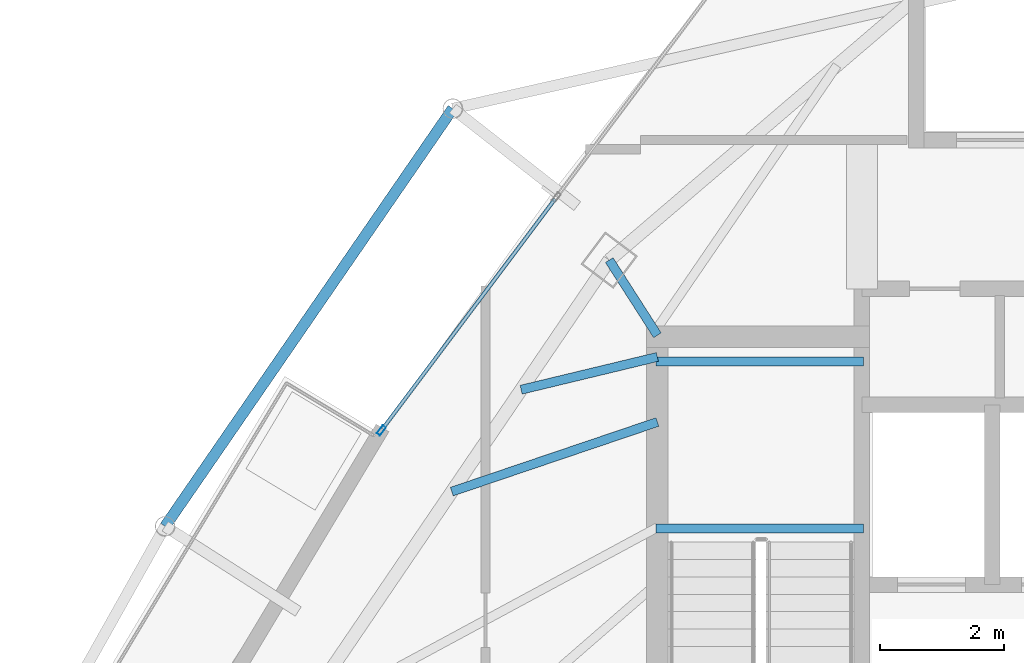
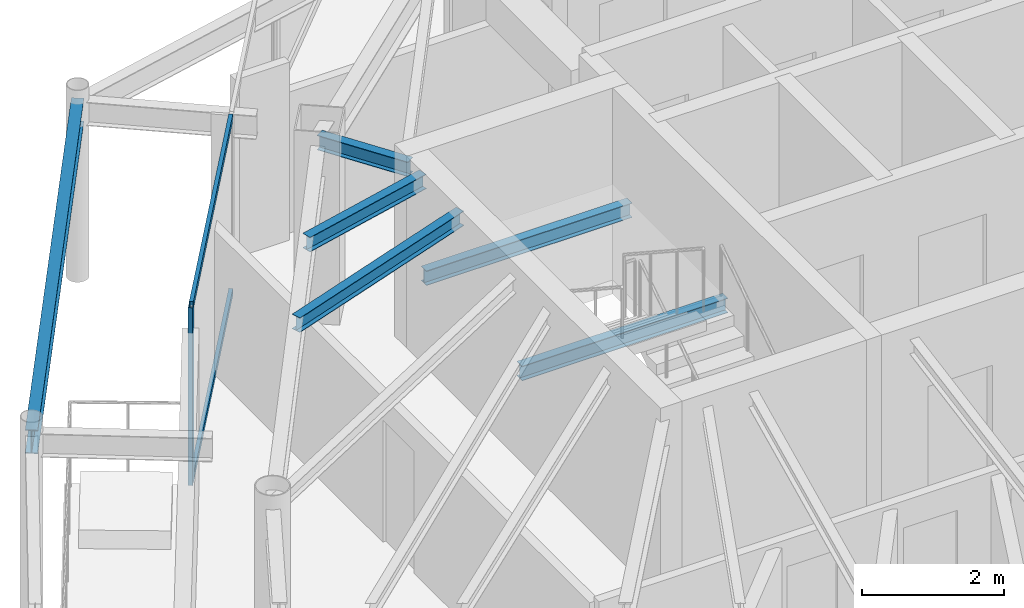
# One storey, part 12 of 28: 6 beams, 3 members, 1 element without a shape of its own.
"""IFC4 building model written with IfcOpenShell, lengths in metres."""

import ifcopenshell
import ifcopenshell.guid

model = None  # the IFC model being written
_history = None  # IfcOwnerHistory: only IFC2X3 demands one
_inside = {}  # id of a spatial element -> (the spatial element, [elements in it])
_under = {}  # id of a project, library or spatial element -> (it, [spatial elements below it])
_declared = {}  # id of a project -> (the project, [libraries it declares])
_typed = {}  # id of a type object -> (the type object, [elements of that type])
_made_of = {}  # id of a material, layer set ... -> (it, [elements and type objects made of it])


def new_model(schema):
    """Start an empty IFC model of exactly this schema.

    Asked for "IFC4X3", IfcOpenShell would pick the latest addendum, in which some entities
    have other attributes; the version numbers below select the first issue.
    IFC2X3 requires an IfcOwnerHistory on every rooted entity: one is made here for all.
    """
    global model, _history
    if schema == "IFC4X3":
        model = ifcopenshell.file(schema_version=(4, 3, 0, 0))
    else:
        model = ifcopenshell.file(schema=schema)
    _inside.clear()
    _under.clear()
    _declared.clear()
    _typed.clear()
    _made_of.clear()
    _history = None
    if model.schema == "IFC2X3":
        org = make("IfcOrganization", Name="unknown")
        user = make(
            "IfcPersonAndOrganization",
            ThePerson=make("IfcPerson", FamilyName="unknown"),
            TheOrganization=org,
        )
        app = make(
            "IfcApplication",
            ApplicationDeveloper=org,
            Version="unknown",
            ApplicationFullName="unknown",
            ApplicationIdentifier="unknown",
        )
        _history = make(
            "IfcOwnerHistory",
            OwningUser=user,
            OwningApplication=app,
            ChangeAction="ADDED",
            CreationDate=0,
        )
    return model


def make(cls, **values):
    """One entity of the class cls with the attributes given. An attribute that is None is left unset."""
    return model.create_entity(
        cls, **{name: value for name, value in values.items() if value is not None}
    )


def rooted(cls, **values):
    """An entity with a GlobalId (a new one), such as an element, a storey or a relation."""
    return make(cls, GlobalId=ifcopenshell.guid.new(), OwnerHistory=_history, **values)


def si_unit(unit_type, name, prefix=None):
    """IfcSIUnit, for example si_unit("LENGTHUNIT", "METRE", prefix="MILLI")."""
    return make("IfcSIUnit", UnitType=unit_type, Prefix=prefix, Name=name)


def assignment(units):
    """IfcUnitAssignment: the units of a project."""
    return None if units is None else make("IfcUnitAssignment", Units=units)


def point(xyz):
    """IfcCartesianPoint."""
    return None if xyz is None else make("IfcCartesianPoint", Coordinates=xyz)


def direction(xyz):
    """IfcDirection."""
    return None if xyz is None else make("IfcDirection", DirectionRatios=xyz)


def frame(location, z_axis=None, x_axis=None):
    """IfcAxis2Placement3D, a coordinate frame: its origin and axes. An axis left out is left unset."""
    return make(
        "IfcAxis2Placement3D",
        Location=point(location),
        Axis=direction(z_axis),
        RefDirection=direction(x_axis),
    )


def frame_2d(location, x_axis=None):
    """IfcAxis2Placement2D, a coordinate frame in the plane: its origin and x axis."""
    return make(
        "IfcAxis2Placement2D", Location=point(location), RefDirection=direction(x_axis)
    )


def origin():
    """The frame at (0, 0, 0) with its axes left unset."""
    return frame((0.0, 0.0, 0.0))


def origin_2d():
    """The frame at (0, 0) in the plane with its x axis left unset."""
    return frame_2d((0.0, 0.0))


def place(relative_to, where):
    """IfcLocalPlacement: puts the frame where relative to a parent placement (None: the world)."""
    return make(
        "IfcLocalPlacement", PlacementRelTo=relative_to, RelativePlacement=where
    )


def context(
    kind, dimensions, precision=None, world=None, true_north=None, identifier=None
):
    """IfcGeometricRepresentationContext, for example the 3D "Model" context."""
    return make(
        "IfcGeometricRepresentationContext",
        ContextIdentifier=identifier,
        ContextType=kind,
        CoordinateSpaceDimension=dimensions,
        Precision=precision,
        WorldCoordinateSystem=world,
        TrueNorth=true_north,
    )


def subcontext(parent, identifier, kind, view, scale=None):
    """IfcGeometricRepresentationSubContext, for example "Body" below "Model"."""
    return make(
        "IfcGeometricRepresentationSubContext",
        ContextIdentifier=identifier,
        ContextType=kind,
        ParentContext=parent,
        TargetScale=scale,
        TargetView=view,
    )


def project(units=None, contexts=None):
    """IfcProject with its units and contexts."""
    return rooted(
        "IfcProject",
        Name="project",
        RepresentationContexts=contexts,
        UnitsInContext=assignment(units),
    )


def spatial(cls, under=None, at=None, **own):
    """A site, building, storey or space (cls), placed at a placement, below another one or the project."""
    s = rooted(cls, ObjectPlacement=at, **own)
    if under is not None:
        _under.setdefault(under.id(), (under, []))[1].append(s)
    return s


def profile(cls, at=None, kind="AREA", **sizes):
    """A parametric profile (cls). Its sizes go by their IFC names, for example OverallWidth=200.0."""
    return make(cls, ProfileType=kind, Position=at, **sizes)


def hollow_rectangle(**sizes):
    """IfcRectangleHollowProfileDef."""
    return profile("IfcRectangleHollowProfileDef", **sizes)


def i_section(**sizes):
    """IfcIShapeProfileDef."""
    return profile("IfcIShapeProfileDef", **sizes)


def extrude(swept, where, along, depth):
    """IfcExtrudedAreaSolid: the profile swept, set in the frame where, extruded along a direction by depth."""
    return make(
        "IfcExtrudedAreaSolid",
        SweptArea=swept,
        Position=where,
        ExtrudedDirection=direction(along),
        Depth=depth,
    )


def shape(context_of_items, identifier, shape_type, items):
    """IfcShapeRepresentation: the items that make up one representation, for example the "Body"."""
    return make(
        "IfcShapeRepresentation",
        ContextOfItems=context_of_items,
        RepresentationIdentifier=identifier,
        RepresentationType=shape_type,
        Items=items,
    )


def material(Name=None, Category=None):
    """IfcMaterial."""
    return make("IfcMaterial", Name=Name, Category=Category)


def layer(
    of_material, thickness, ventilated=None, Name=None, Category=None, Priority=None
):
    """IfcMaterialLayer: one layer of a wall or slab, of a material (None: an air gap)."""
    return make(
        "IfcMaterialLayer",
        Material=of_material,
        LayerThickness=thickness,
        IsVentilated=ventilated,
        Name=Name,
        Category=Category,
        Priority=Priority,
    )


def layer_set(layers, Name=None):
    """IfcMaterialLayerSet."""
    return make("IfcMaterialLayerSet", MaterialLayers=layers, LayerSetName=Name)


def material_profile(
    of_material, cross_section, Name=None, Category=None, Priority=None
):
    """IfcMaterialProfile: a cross section and its material."""
    return make(
        "IfcMaterialProfile",
        Name=Name,
        Material=of_material,
        Profile=cross_section,
        Priority=Priority,
        Category=Category,
    )


def profile_set(profiles, Name=None, composite=None):
    """IfcMaterialProfileSet."""
    return make(
        "IfcMaterialProfileSet",
        Name=Name,
        MaterialProfiles=profiles,
        CompositeProfile=composite,
    )


def made_of(thing, what):
    """Note that an element or type object is made of a material, layer set ...; save() writes the relation."""
    if what is not None:
        _made_of.setdefault(what.id(), (what, []))[1].append(thing)
    return thing


def type_object(cls, material=None, **own):
    """A type object (cls), such as IfcWallType, which elements share."""
    return made_of(rooted(cls, **own), material)


def element(
    cls,
    number,
    at=None,
    inside=None,
    cuts=None,
    type_object=None,
    material=None,
    context=None,
    identifier="Body",
    shape_type=None,
    held_by="IfcProductDefinitionShape",
    body=None,
    shapes=None,
    **own,
):
    """One element of the class cls, such as IfcWall. Its Tag is "e" and its number.

    at: its placement. inside: the storey or other place that contains it. cuts: it is an
    opening in that element (IfcRelVoidsElement). A single representation is given by context,
    identifier, shape_type and body (its items); several are given by shapes. held_by: the class
    of the entity that holds the representations. save() writes the other relations.
    """
    e = rooted(cls, Tag="e%d" % number, ObjectPlacement=at, **own)
    if body is not None:
        shapes = [shape(context, identifier, shape_type, body)]
    if shapes is not None:
        e.Representation = make(held_by, Representations=shapes)
    if inside is not None:
        _inside.setdefault(inside.id(), (inside, []))[1].append(e)
    if cuts is not None:
        rooted(
            "IfcRelVoidsElement", RelatingBuildingElement=cuts, RelatedOpeningElement=e
        )
    if type_object is not None:
        _typed.setdefault(type_object.id(), (type_object, []))[1].append(e)
    return made_of(e, material)


def aggregate(whole, parts):
    """IfcRelAggregates: a whole, such as a stair, and the parts it consists of."""
    return rooted("IfcRelAggregates", RelatingObject=whole, RelatedObjects=parts)


def save(model, path):
    """Write the relations noted so far, then the file.

    IfcRelAggregates (storeys below a building ...), IfcRelContainedInSpatialStructure (elements
    in a storey), IfcRelDefinesByType, IfcRelAssociatesMaterial and IfcRelDeclares: one each for
    every whole, place, type object, material and project.
    """
    for whole, parts in _under.values():
        aggregate(whole, parts)
    for where, things in _inside.values():
        rooted(
            "IfcRelContainedInSpatialStructure",
            RelatedElements=things,
            RelatingStructure=where,
        )
    for kind, things in _typed.values():
        rooted("IfcRelDefinesByType", RelatedObjects=things, RelatingType=kind)
    for what, things in _made_of.values():
        rooted("IfcRelAssociatesMaterial", RelatedObjects=things, RelatingMaterial=what)
    for by, libraries in _declared.values():
        rooted("IfcRelDeclares", RelatingContext=by, RelatedDefinitions=libraries)
    model.write(path)


model = new_model("IFC4")

# Units and contexts
model_context = context("Model", 3, precision=1e-05, world=origin(), true_north=direction((0.0, 1.0)))
body_context = subcontext(model_context, "Body", "Model", "MODEL_VIEW")
ifc_project = project(units=[si_unit("LENGTHUNIT", "METRE"), si_unit("AREAUNIT", "SQUARE_METRE"), si_unit("VOLUMEUNIT", "CUBIC_METRE"), si_unit("PLANEANGLEUNIT", "RADIAN"), si_unit("MASSUNIT", "GRAM", prefix="KILO")], contexts=[model_context])

# Site, building, storey
site_placement = place(None, origin())
site = spatial("IfcSite", under=ifc_project, at=site_placement, CompositionType="ELEMENT")
building_placement = place(site_placement, origin())
building = spatial("IfcBuilding", under=site, at=building_placement, Name="Orvanel Arch Residences", CompositionType="ELEMENT")
storey_placement = place(building_placement, frame((0.0, 0.0, 263.449951171875)))
storey = spatial("IfcBuildingStorey", under=building, at=storey_placement, Name="L75", CompositionType="ELEMENT", Elevation=263.449951171875)

# Beams
ifc_material_1 = material(Name="Structural steel AS/NZS 3679.1 Grade 300 (300 MPa)", Category="steel")
ifc_material_profile_1 = material_profile(ifc_material_1, i_section(OverallWidth=0.14599609375, OverallDepth=0.251953125, WebThickness=0.006103515625, FlangeThickness=0.008544921875, at=origin_2d()), Name="250UB31.4")
ifc_profile_set_1 = profile_set([ifc_material_profile_1], Name="Structural steel AS/NZS 3679.1 Grade 300 (300 MPa)")
beam_type_1 = type_object("IfcBeamType", Name="BJ-250UB", PredefinedType="JOIST", material=ifc_profile_set_1)
for number, where, z_axis, x_axis, name in (
    (1, (26.39990234375, 30.780029296875, 1.323974609375), (1.0, 0.0, 0.0), (0.0, 1.0, 0.0), "L75 ST-1 Half-Landing Support Beam 1.1"),
    (2, (26.39990234375, 33.47998046875, 1.323974609375), (1.0, 0.0, 0.0), (0.0, 1.0, 0.0), "L75 ST-1 Half-Landing Support Beam 1.2"),
):
    element("IfcBeam", number, at=place(storey_placement, frame(where, z_axis=z_axis, x_axis=x_axis)), inside=storey, type_object=beam_type_1, Name=name, PredefinedType="JOIST", context=body_context, shape_type="SweptSolid", body=[
        extrude(i_section(OverallWidth=0.14599609375, OverallDepth=0.251953125, WebThickness=0.006103515625, FlangeThickness=0.008544921875, at=origin_2d()), origin(), (0.0, 0.0, 1.0), 3.35009765625),
    ])
beam_1_placement = place(storey_placement, frame((26.425048828125, 33.89990234375, 2.93408203125), z_axis=(-0.539395075146, 0.842052820735, 0.0), x_axis=(-0.842052820735, -0.539395075146, 0.0)))
element("IfcBeam", 3, at=beam_1_placement, inside=storey, type_object=beam_type_1, Name="L75 NNW Wing Floor Joist", PredefinedType="JOIST", context=body_context, shape_type="SweptSolid", body=[
    extrude(i_section(OverallWidth=0.14599609375, OverallDepth=0.251953125, WebThickness=0.006103515625, FlangeThickness=0.008544921875, at=origin_2d()), origin(), (0.0, 0.0, 1.0), 1.440673828125),
])
beam_2_placement = place(storey_placement, frame((26.425048828125, 32.5, 2.93408203125), z_axis=(-0.947187956478, -0.320678928373, 0.0), x_axis=(0.320678928373, -0.947187956478, 0.0)))
element("IfcBeam", 4, at=beam_2_placement, inside=storey, type_object=beam_type_1, Name="L75 WNW Wing Floor Joist", PredefinedType="JOIST", context=body_context, shape_type="SweptSolid", body=[
    extrude(i_section(OverallWidth=0.14599609375, OverallDepth=0.251953125, WebThickness=0.006103515625, FlangeThickness=0.008544921875, at=origin_2d()), origin(), (0.0, 0.0, 1.0), 3.502197265625),
])
beam_3_placement = place(storey_placement, frame((26.425048828125, 33.550048828125, 2.93408203125), z_axis=(-0.972256833016, -0.23391590509, 0.0), x_axis=(0.23391590509, -0.972256833016, 0.0)))
element("IfcBeam", 5, at=beam_3_placement, inside=storey, type_object=beam_type_1, Name="L75 JADD3 Wing Floor Joist", PredefinedType="JOIST", context=body_context, shape_type="SweptSolid", body=[
    extrude(i_section(OverallWidth=0.14599609375, OverallDepth=0.251953125, WebThickness=0.006103515625, FlangeThickness=0.008544921875, at=origin_2d()), origin(), (0.0, 0.0, 1.0), 2.26171875),
])

# Curtain wall, member
ifc_material_2 = material(Name="Bronze-anodised aluminium AA6063-T6", Category="aluminium")
ifc_layer = layer(ifc_material_2, 0.175048828125)
ifc_layer_set = layer_set([ifc_layer], Name="Bronze-anodised aluminium AA6063-T6")
curtain_wall_type = type_object("IfcCurtainWallType", Name="CW4-HI-SYS", PredefinedType="NOTDEFINED", material=ifc_layer_set)
curtain_wall_placement = place(storey_placement, origin())
curtain_wall = element("IfcCurtainWall", 6, at=curtain_wall_placement, inside=storey, type_object=curtain_wall_type, Name="L75 CW4-HI-SYS Unitised Curtain Wall", PredefinedType="NOTDEFINED")
ifc_material_profile_2 = material_profile(ifc_material_2, hollow_rectangle(XDim=0.06494140625, YDim=0.159912109375, WallThickness=0.00390625, at=origin_2d()), Name="ALU160x65x4")
ifc_profile_set_2 = profile_set([ifc_material_profile_2], Name="Bronze-anodised aluminium AA6063-T6")
member_type_1 = type_object("IfcMemberType", Name="MUL-160x65", PredefinedType="MULLION", material=ifc_profile_set_2)
member_1_placement = place(storey_placement, frame((21.969482421875, 32.363037109375, 0.0), z_axis=(0.0, 0.0, 1.0), x_axis=(0.799771978749, -0.60030390804, 0.0)))
member_1 = element("IfcMember", 7, at=member_1_placement, type_object=member_type_1, Name="CW-S4 mullion 3", PredefinedType="MULLION", context=body_context, shape_type="SweptSolid", body=[
    extrude(hollow_rectangle(XDim=0.06494140625, YDim=0.159912109375, WallThickness=0.00390625, at=origin_2d()), origin(), (0.0, 0.0, 1.0), 3.06005859375),
])

# Beam
ifc_material_profile_3 = material_profile(ifc_material_1, i_section(OverallWidth=0.177978515625, OverallDepth=0.406005859375, WebThickness=0.0078125, FlangeThickness=0.0126953125, at=origin_2d()), Name="410UB59.7")
ifc_profile_set_3 = profile_set([ifc_material_profile_3], Name="Structural steel AS/NZS 3679.1 Grade 300 (300 MPa)")
beam_type_2 = type_object("IfcBeamType", Name="OB-410UB-EXT", PredefinedType="SPANDREL", material=ifc_profile_set_3)
beam_4_placement = place(storey_placement, frame((23.123046875, 37.556884765625, 2.85693359375), z_axis=(-0.567221162868, -0.823565511902, 0.0), x_axis=(0.823565511902, -0.567221162868, 0.0)))
element("IfcBeam", 8, at=beam_4_placement, inside=storey, type_object=beam_type_2, Name="L75 Outer Perimeter Floor Ring Beam 01", PredefinedType="SPANDREL", context=body_context, shape_type="SweptSolid", body=[
    extrude(i_section(OverallWidth=0.177978515625, OverallDepth=0.406005859375, WebThickness=0.0078125, FlangeThickness=0.0126953125, at=origin_2d()), origin(), (0.0, 0.0, 1.0), 8.183837890625),
])

# Member
ifc_material_profile_4 = material_profile(ifc_material_2, hollow_rectangle(XDim=0.06005859375, YDim=0.1201171875, WallThickness=0.00341796875, at=origin_2d()), Name="ALU120x60x3.5")
ifc_profile_set_4 = profile_set([ifc_material_profile_4], Name="Bronze-anodised aluminium AA6063-T6")
member_type_2 = type_object("IfcMemberType", Name="TRN-120x60", PredefinedType="USERDEFINED", material=ifc_profile_set_4)
member_2_placement = place(storey_placement, frame((24.7744140625, 36.10009765625, 0.030029296875), z_axis=(-0.600277767892, -0.799791598714, 0.0), x_axis=(0.799791598714, -0.600277767892, 0.0)))
member_2 = element("IfcMember", 9, at=member_2_placement, type_object=member_type_2, Name="CW-S4 transom 2.1", ObjectType="TRANSOM", PredefinedType="USERDEFINED", context=body_context, shape_type="SweptSolid", body=[
    extrude(hollow_rectangle(XDim=0.06005859375, YDim=0.1201171875, WallThickness=0.00341796875, at=origin_2d()), origin(), (0.0, 0.0, 1.0), 4.64013671875),
])

member_3_placement = place(storey_placement, frame((24.7744140625, 36.10009765625, 3.030029296875), z_axis=(-0.600277767892, -0.799791598714, 0.0), x_axis=(0.799791598714, -0.600277767892, 0.0)))
member_3 = element("IfcMember", 10, at=member_3_placement, type_object=member_type_2, Name="CW-S4 transom 2.2", ObjectType="TRANSOM", PredefinedType="USERDEFINED", context=body_context, shape_type="SweptSolid", body=[
    extrude(hollow_rectangle(XDim=0.06005859375, YDim=0.1201171875, WallThickness=0.00341796875, at=origin_2d()), origin(), (0.0, 0.0, 1.0), 4.64013671875),
])

aggregate(curtain_wall, [member_1, member_2, member_3])

save(model, "model.ifc")
